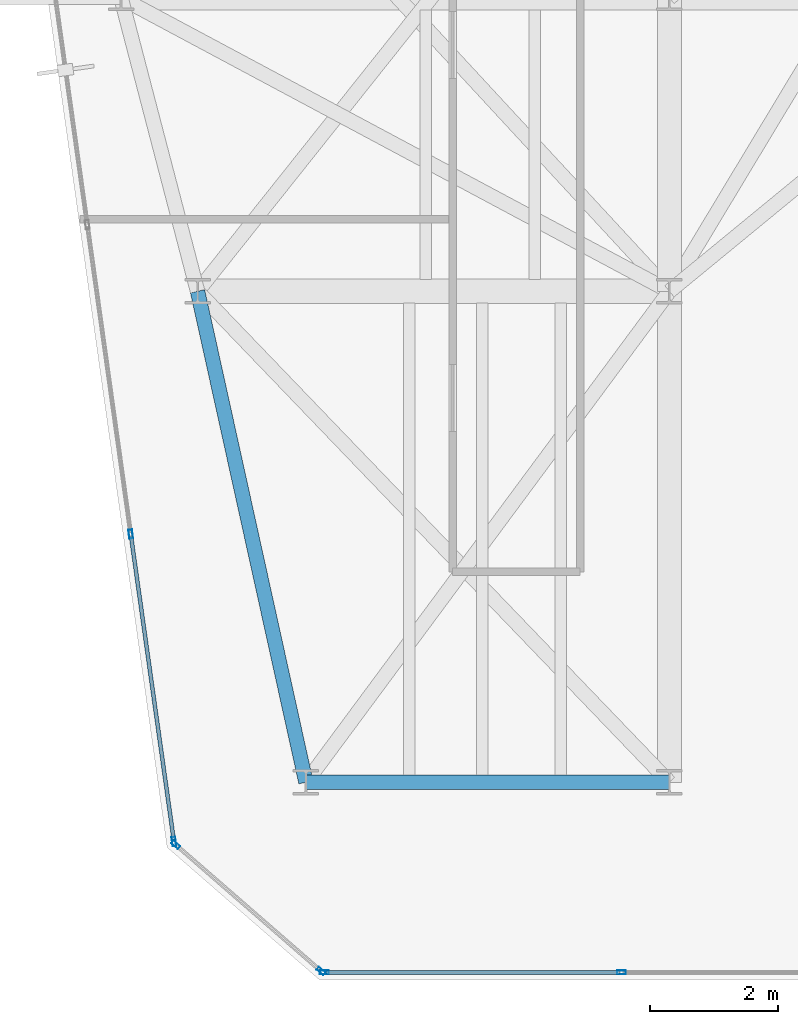
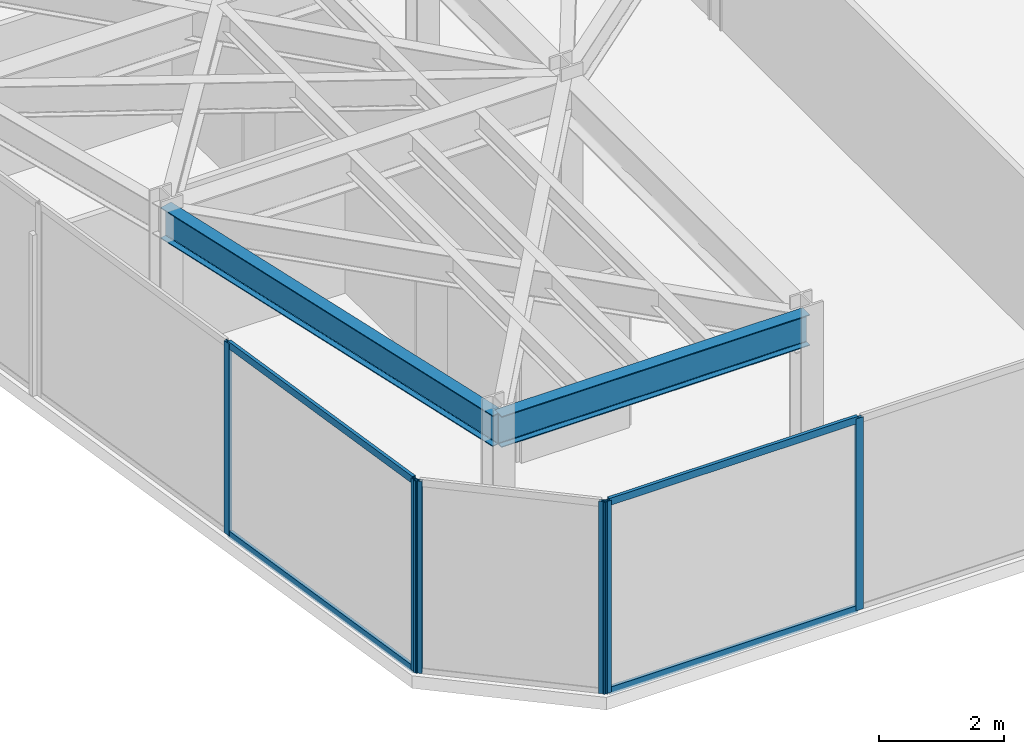
# One storey, part 2 of 26: 10 members, 2 beams, 3 elements without a shape of their own.
"""IFC4 building model written with IfcOpenShell, lengths in metres."""

from ifc_helpers import new_model, si_unit, direction, frame, origin, origin_2d, place, context, subcontext, project, spatial, hollow_rectangle, i_section, extrude, material, layer, layer_set, material_profile, profile_set, type_object, element, aggregate, save


model = new_model("IFC4")

# Units and contexts
model_context = context("Model", 3, precision=1e-05, world=origin(), true_north=direction((0.0, 1.0)))
body_context = subcontext(model_context, "Body", "Model", "MODEL_VIEW")
ifc_project = project(units=[si_unit("LENGTHUNIT", "METRE"), si_unit("AREAUNIT", "SQUARE_METRE"), si_unit("VOLUMEUNIT", "CUBIC_METRE"), si_unit("PLANEANGLEUNIT", "RADIAN"), si_unit("MASSUNIT", "GRAM", prefix="KILO")], contexts=[model_context])

# Site, building, storey
site_placement = place(None, origin())
site = spatial("IfcSite", under=ifc_project, at=site_placement, CompositionType="ELEMENT")
building_placement = place(site_placement, origin())
building = spatial("IfcBuilding", under=site, at=building_placement, Name="Kravanh Interchange Tower", CompositionType="ELEMENT")
storey_placement = place(building_placement, frame((0.0, 0.0, 212.5)))
storey = spatial("IfcBuildingStorey", under=building, at=storey_placement, Name="L51", CompositionType="ELEMENT", Elevation=212.5)

# Curtain wall, members
ifc_material_1 = material(Name="Anodised Bronze Aluminium", Category="aluminium")
ifc_layer = layer(ifc_material_1, 0.179931640625)
ifc_layer_set = layer_set([ifc_layer], Name="Unitised Curtain Wall System CW-Z3 Upper Office")
curtain_wall_type = type_object("IfcCurtainWallType", Name="Unitised Curtain Wall System CW-Z3 Upper Office", PredefinedType="NOTDEFINED", material=ifc_layer_set)
curtain_wall_1_placement = place(storey_placement, origin())
curtain_wall_1 = element("IfcCurtainWall", 1, at=curtain_wall_1_placement, inside=storey, type_object=curtain_wall_type, Name="L51 Unitised Curtain Wall CW-L51-01", PredefinedType="NOTDEFINED")
ifc_material_2 = material(Name="Anodised Bronze Aluminium", Category="aluminium")
ifc_material_profile_1 = material_profile(ifc_material_2, hollow_rectangle(XDim=0.06005859375, YDim=0.139892578125, WallThickness=0.00390625, at=origin_2d()), Name="ALU60X140X4")
ifc_profile_set_1 = profile_set([ifc_material_profile_1], Name="Anodised Bronze Aluminium")
member_type_1 = type_object("IfcMemberType", Name="Curtain Wall Mullion ALU60X140X4 Bronze", PredefinedType="MULLION", material=ifc_profile_set_1)
member_1_placement = place(storey_placement, frame((19.43017578125, 13.5703125, 0.0), z_axis=(0.0, 0.0, 1.0), x_axis=(-0.990268194035, -0.139172209446, 0.0)))
member_1 = element("IfcMember", 2, at=member_1_placement, type_object=member_type_1, Name="CW-Z3 mullion 1", PredefinedType="MULLION", context=body_context, shape_type="SweptSolid", body=[
    extrude(hollow_rectangle(XDim=0.06005859375, YDim=0.139892578125, WallThickness=0.00390625, at=origin_2d()), origin(), (0.0, 0.0, 1.0), 3.7548828125),
])
member_2_placement = place(storey_placement, frame((18.75244140625, 18.392578125, 0.0), z_axis=(0.0, 0.0, 1.0), x_axis=(-0.990268194035, -0.139172209446, 0.0)))
member_2 = element("IfcMember", 3, at=member_2_placement, type_object=member_type_1, Name="CW-Z3 mullion 2", PredefinedType="MULLION", context=body_context, shape_type="SweptSolid", body=[
    extrude(hollow_rectangle(XDim=0.06005859375, YDim=0.139892578125, WallThickness=0.00390625, at=origin_2d()), origin(), (0.0, 0.0, 1.0), 3.7548828125),
])

curtain_wall_2_placement = place(storey_placement, origin())
curtain_wall_2 = element("IfcCurtainWall", 4, at=curtain_wall_2_placement, inside=storey, type_object=curtain_wall_type, Name="L51 Unitised Curtain Wall CW-L51-06", PredefinedType="NOTDEFINED")
member_3_placement = place(storey_placement, frame((26.447998046875, 11.52001953125, 0.0), z_axis=(0.0, 0.0, 1.0), x_axis=(0.0, -1.0, 0.0)))
member_3 = element("IfcMember", 5, at=member_3_placement, type_object=member_type_1, Name="CW-Z3 mullion 2", PredefinedType="MULLION", context=body_context, shape_type="SweptSolid", body=[
    extrude(hollow_rectangle(XDim=0.06005859375, YDim=0.139892578125, WallThickness=0.00390625, at=origin_2d()), origin(), (0.0, 0.0, 1.0), 3.7548828125),
])
member_4_placement = place(storey_placement, frame((21.7890625, 11.52001953125, 0.0), z_axis=(0.0, 0.0, 1.0), x_axis=(0.0, -1.0, 0.0)))
member_4 = element("IfcMember", 6, at=member_4_placement, type_object=member_type_1, Name="CW-Z3 mullion 3", PredefinedType="MULLION", context=body_context, shape_type="SweptSolid", body=[
    extrude(hollow_rectangle(XDim=0.06005859375, YDim=0.139892578125, WallThickness=0.00390625, at=origin_2d()), origin(), (0.0, 0.0, 1.0), 3.7548828125),
])

curtain_wall_3_placement = place(storey_placement, origin())
curtain_wall_3 = element("IfcCurtainWall", 7, at=curtain_wall_3_placement, inside=storey, type_object=curtain_wall_type, Name="L51 Unitised Curtain Wall CW-L51-07", PredefinedType="NOTDEFINED")
member_5_placement = place(storey_placement, frame((21.736328125, 11.539794921875, 0.0), z_axis=(0.0, 0.0, 1.0), x_axis=(-0.65605090137, -0.754716645379, 0.0)))
member_5 = element("IfcMember", 8, at=member_5_placement, type_object=member_type_1, Name="CW-Z3 mullion 1", PredefinedType="MULLION", context=body_context, shape_type="SweptSolid", body=[
    extrude(hollow_rectangle(XDim=0.06005859375, YDim=0.139892578125, WallThickness=0.00390625, at=origin_2d()), origin(), (0.0, 0.0, 1.0), 3.7548828125),
])
member_6_placement = place(storey_placement, frame((19.45703125, 13.52099609375, 0.0), z_axis=(0.0, 0.0, 1.0), x_axis=(-0.65605090137, -0.754716645379, 0.0)))
member_6 = element("IfcMember", 9, at=member_6_placement, type_object=member_type_1, Name="CW-Z3 mullion 2", PredefinedType="MULLION", context=body_context, shape_type="SweptSolid", body=[
    extrude(hollow_rectangle(XDim=0.06005859375, YDim=0.139892578125, WallThickness=0.00390625, at=origin_2d()), origin(), (0.0, 0.0, 1.0), 3.7548828125),
])
aggregate(curtain_wall_3, [member_5, member_6])

# Member
ifc_material_3 = material(Name="Anodised Bronze Aluminium", Category="aluminium")
ifc_material_profile_2 = material_profile(ifc_material_3, hollow_rectangle(XDim=0.06005859375, YDim=0.139892578125, WallThickness=0.00390625, at=origin_2d()), Name="ALU60X140X4")
ifc_profile_set_2 = profile_set([ifc_material_profile_2], Name="Anodised Bronze Aluminium")
member_type_2 = type_object("IfcMemberType", Name="Curtain Wall Transom ALU60X140X4 Bronze", PredefinedType="USERDEFINED", material=ifc_profile_set_2)
member_7_placement = place(storey_placement, frame((19.426025390625, 13.60009765625, 0.030029296875), z_axis=(-0.139189497915, 0.990265764161, 0.0), x_axis=(-0.990265764161, -0.139189497915, 0.0)))
member_7 = element("IfcMember", 10, at=member_7_placement, type_object=member_type_2, Name="CW-Z3 transom 1.1", ObjectType="TRANSOM", PredefinedType="USERDEFINED", context=body_context, shape_type="SweptSolid", body=[
    extrude(hollow_rectangle(XDim=0.06005859375, YDim=0.139892578125, WallThickness=0.00390625, at=origin_2d()), origin(), (0.0, 0.0, 1.0), 4.8095703125),
])

member_8_placement = place(storey_placement, frame((19.426025390625, 13.60009765625, 3.72509765625), z_axis=(-0.139189497915, 0.990265764161, 0.0), x_axis=(-0.990265764161, -0.139189497915, 0.0)))
member_8 = element("IfcMember", 11, at=member_8_placement, type_object=member_type_2, Name="CW-Z3 transom 1.2", ObjectType="TRANSOM", PredefinedType="USERDEFINED", context=body_context, shape_type="SweptSolid", body=[
    extrude(hollow_rectangle(XDim=0.06005859375, YDim=0.139892578125, WallThickness=0.00390625, at=origin_2d()), origin(), (0.0, 0.0, 1.0), 4.8095703125),
])

aggregate(curtain_wall_1, [member_1, member_2, member_7, member_8])

member_9_placement = place(storey_placement, frame((26.41796875, 11.52001953125, 0.030029296875), z_axis=(-1.0, 0.0, 0.0), x_axis=(0.0, -1.0, 0.0)))
member_9 = element("IfcMember", 12, at=member_9_placement, type_object=member_type_2, Name="CW-Z3 transom 2.1", ObjectType="TRANSOM", PredefinedType="USERDEFINED", context=body_context, shape_type="SweptSolid", body=[
    extrude(hollow_rectangle(XDim=0.06005859375, YDim=0.139892578125, WallThickness=0.00390625, at=origin_2d()), origin(), (0.0, 0.0, 1.0), 4.598876953125),
])

member_10_placement = place(storey_placement, frame((26.41796875, 11.52001953125, 3.72509765625), z_axis=(-1.0, 0.0, 0.0), x_axis=(0.0, -1.0, 0.0)))
member_10 = element("IfcMember", 13, at=member_10_placement, type_object=member_type_2, Name="CW-Z3 transom 2.2", ObjectType="TRANSOM", PredefinedType="USERDEFINED", context=body_context, shape_type="SweptSolid", body=[
    extrude(hollow_rectangle(XDim=0.06005859375, YDim=0.139892578125, WallThickness=0.00390625, at=origin_2d()), origin(), (0.0, 0.0, 1.0), 4.598876953125),
])

aggregate(curtain_wall_2, [member_3, member_4, member_9, member_10])

# Beams
ifc_material_4 = material(Name="Structural Steel S355", Category="steel")
ifc_material_profile_3 = material_profile(ifc_material_4, i_section(OverallWidth=0.22802734375, OverallDepth=0.60791015625, WebThickness=0.01123046875, FlangeThickness=0.017333984375, FilletRadius=0.02197265625, at=origin_2d()), Name="W24X76")
ifc_profile_set_3 = profile_set([ifc_material_profile_3], Name="Structural Steel S355")
beam_type = type_object("IfcBeamType", Name="Floor Spandrel W24X76 Structural Steel S355", PredefinedType="SPANDREL", material=ifc_profile_set_3)
beam_1_placement = place(storey_placement, frame((21.5, 14.5, 3.450927734375), z_axis=(1.0, 0.0, 0.0), x_axis=(0.0, 1.0, 0.0)))
element("IfcBeam", 14, at=beam_1_placement, inside=storey, type_object=beam_type, Name="L51 Perimeter Spandrel 30", PredefinedType="SPANDREL", context=body_context, shape_type="SweptSolid", body=[
    extrude(i_section(OverallWidth=0.22802734375, OverallDepth=0.60791015625, WebThickness=0.01123046875, FlangeThickness=0.017333984375, FilletRadius=0.02197265625, at=origin_2d()), origin(), (0.0, 0.0, 1.0), 5.699951171875),
])
beam_2_placement = place(storey_placement, frame((21.5, 14.5, 3.450927734375), z_axis=(-0.215582892261, 0.976485543449, 0.0), x_axis=(-0.976485543449, -0.215582892261, 0.0)))
element("IfcBeam", 15, at=beam_2_placement, inside=storey, type_object=beam_type, Name="L51 Perimeter Spandrel 31", PredefinedType="SPANDREL", context=body_context, shape_type="SweptSolid", body=[
    extrude(i_section(OverallWidth=0.22802734375, OverallDepth=0.60791015625, WebThickness=0.01123046875, FlangeThickness=0.017333984375, FilletRadius=0.02197265625, at=origin_2d()), origin(), (0.0, 0.0, 1.0), 7.88525390625),
])

save(model, "model.ifc")
